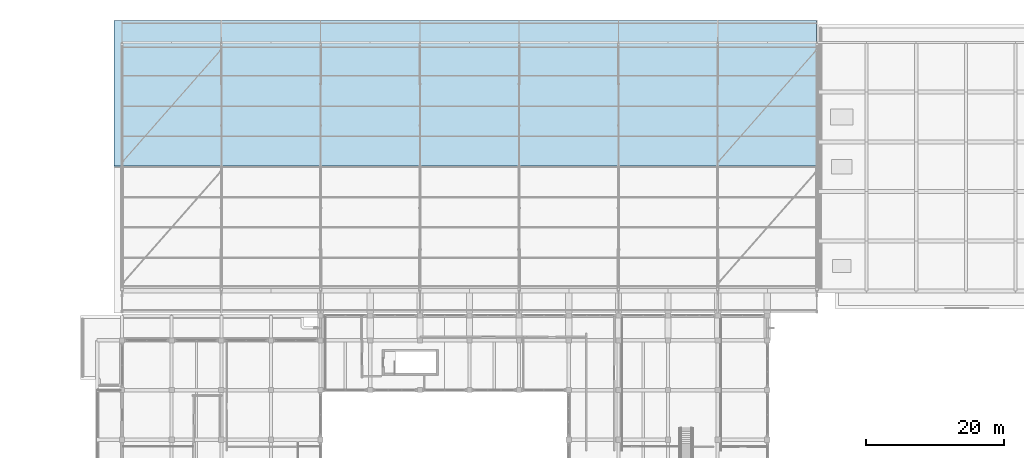
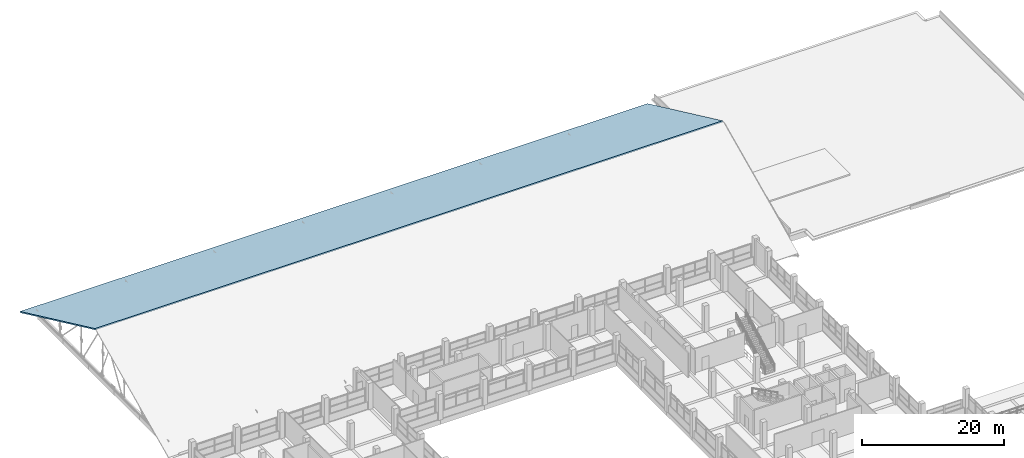
# One storey, part 119 of 141: 1 slab.
"""IFC4 building model written with IfcOpenShell, lengths in metres."""

from ifc_helpers import new_model, si_unit, direction, frame, origin, place, context, subcontext, project, spatial, polyline, outline, extrude, material, layer, layer_set, type_object, element, save


model = new_model("IFC4")

# Units and contexts
model_context = context("Model", 3, precision=1e-05, world=origin(), true_north=direction((0.0, 1.0)))
body_context = subcontext(model_context, "Body", "Model", "MODEL_VIEW")
ifc_project = project(units=[si_unit("LENGTHUNIT", "METRE"), si_unit("AREAUNIT", "SQUARE_METRE"), si_unit("VOLUMEUNIT", "CUBIC_METRE"), si_unit("PLANEANGLEUNIT", "RADIAN"), si_unit("MASSUNIT", "GRAM", prefix="KILO")], contexts=[model_context])

# Site, building, storey
site_placement = place(None, origin())
site = spatial("IfcSite", under=ifc_project, at=site_placement, CompositionType="ELEMENT")
building_placement = place(site_placement, origin())
building = spatial("IfcBuilding", under=site, at=building_placement, Name="Seraya Terrace Polytechnic", CompositionType="ELEMENT")
storey_placement = place(building_placement, frame((0.0, 0.0, 14.39990234375)))
storey = spatial("IfcBuildingStorey", under=building, at=storey_placement, Name="L03", CompositionType="ELEMENT", Elevation=14.39990234375)

# Slab
ifc_material = material(Name="Concrete C40/50", Category="concrete")
ifc_layer = layer(ifc_material, 0.199951171875, Name="RS-02")
ifc_layer_set = layer_set([ifc_layer], Name="Concrete C40/50")
slab_type = type_object("IfcSlabType", Name="RS-02", PredefinedType="ROOF", material=ifc_layer_set)
slab_placement = place(storey_placement, frame((13.199951171875, 97.300048828125, 8.7734375), z_axis=(0.0, 0.42288833536, 0.906181800643), x_axis=(1.0, 0.0, 0.0)))
element("IfcSlab", 1, at=slab_placement, inside=storey, type_object=slab_type, Name="Engineering Workshop Hall North pitched roof deck", PredefinedType="ROOF", context=body_context, shape_type="SweptSolid", body=[
    extrude(outline(polyline([(0.0, 0.0), (101.949951171875, 0.0), (101.949951171875, 23.284349233960953), (0.0, 23.284349233960953), (0.0, 0.0)])), origin(), (0.0, 0.0, -1.0), 0.199951171875),
])

save(model, "model.ifc")
